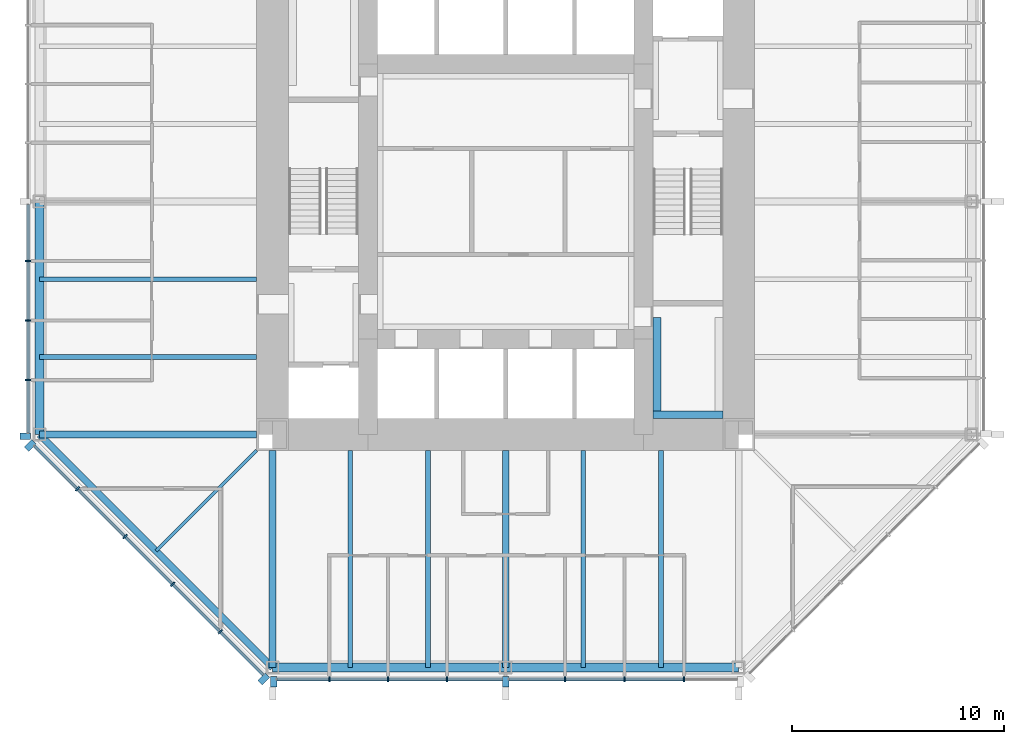
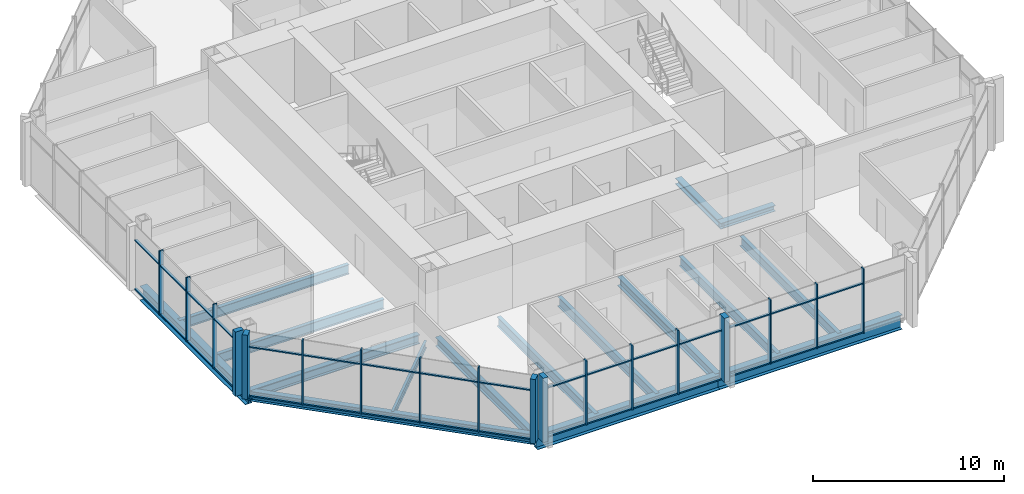
# One storey, part 2 of 12: 50 members, 16 beams, 3 elements without a shape of their own.
"""IFC4 building model written with IfcOpenShell, lengths in metres."""

from ifc_helpers import new_model, si_unit, direction, frame, origin, origin_2d, place, context, subcontext, project, spatial, rectangle, i_section, extrude, material, material_profile, profile_set, type_object, element, aggregate, save


model = new_model("IFC4")

# Units and contexts
model_context = context("Model", 3, precision=1e-05, world=origin(), true_north=direction((0.0, 1.0)))
body_context = subcontext(model_context, "Body", "Model", "MODEL_VIEW")
ifc_project = project(units=[si_unit("LENGTHUNIT", "METRE"), si_unit("AREAUNIT", "SQUARE_METRE"), si_unit("VOLUMEUNIT", "CUBIC_METRE"), si_unit("PLANEANGLEUNIT", "RADIAN"), si_unit("MASSUNIT", "GRAM", prefix="KILO")], contexts=[model_context])

# Site, building, storey
site_placement = place(None, origin())
site = spatial("IfcSite", under=ifc_project, at=site_placement, CompositionType="ELEMENT")
building_placement = place(site_placement, origin())
building = spatial("IfcBuilding", under=site, at=building_placement, Name="Trevanion Tower", CompositionType="ELEMENT")
storey_placement = place(building_placement, frame((0.0, 0.0, 174.60009765625)))
storey = spatial("IfcBuildingStorey", under=building, at=storey_placement, Name="L41", CompositionType="ELEMENT", Elevation=174.60009765625)

# Beams
ifc_material_1 = material(Name="Steel ASTM A992 Grade 50", Category="steel")
ifc_material_profile_1 = material_profile(ifc_material_1, i_section(OverallWidth=0.22900390625, OverallDepth=0.612060546875, WebThickness=0.011962890625, FlangeThickness=0.01953125, at=origin_2d()), Name="W24X84")
ifc_profile_set_1 = profile_set([ifc_material_profile_1], Name="Steel ASTM A992 Grade 50")
beam_type_1 = type_object("IfcBeamType", Name="B7 W24X84", PredefinedType="BEAM", material=ifc_profile_set_1)
for number, where, z_axis, x_axis, name in (
    (1, (-11.75, -3.666748046875, -0.49609375), (-1.0, 0.0, 0.0), (0.0, -1.0, 0.0), "B7 L41"),
    (2, (-11.75, -7.333251953125, -0.49609375), (-1.0, 0.0, 0.0), (0.0, -1.0, 0.0), "B7 L41"),
    (3, (-7.333251953125, -11.75, -0.49609375), (0.0, -1.0, 0.0), (1.0, 0.0, 0.0), "B7 L41"),
    (4, (-3.666748046875, -11.75, -0.49609375), (0.0, -1.0, 0.0), (1.0, 0.0, 0.0), "B7 L41"),
    (5, (3.666748046875, -11.75, -0.49609375), (0.0, -1.0, 0.0), (1.0, 0.0, 0.0), "B7 L41"),
    (6, (7.333251953125, -11.75, -0.49609375), (0.0, -1.0, 0.0), (1.0, 0.0, 0.0), "B7 L41"),
):
    element("IfcBeam", number, at=place(storey_placement, frame(where, z_axis=z_axis, x_axis=x_axis)), inside=storey, type_object=beam_type_1, Name=name, PredefinedType="BEAM", context=body_context, shape_type="SweptSolid", body=[
        extrude(i_section(OverallWidth=0.22900390625, OverallDepth=0.612060546875, WebThickness=0.011962890625, FlangeThickness=0.01953125, at=origin_2d()), origin(), (0.0, 0.0, 1.0), 10.25),
    ])
ifc_material_2 = material(Name="Steel ASTM A992 Grade 50", Category="steel")
ifc_material_profile_2 = material_profile(ifc_material_2, i_section(OverallWidth=0.15234375, OverallDepth=0.449462890625, WebThickness=0.007568359375, FlangeThickness=0.0107421875, at=origin_2d()), Name="W18X35")
ifc_profile_set_2 = profile_set([ifc_material_profile_2], Name="Steel ASTM A992 Grade 50")
beam_type_2 = type_object("IfcBeamType", Name="B8 W18X35", PredefinedType="BEAM", material=ifc_profile_set_2)
beam_1_placement = place(storey_placement, frame((-11.75, -11.75, -0.414794921875), z_axis=(-0.707106781187, -0.707106781187, 0.0), x_axis=(0.707106781187, -0.707106781187, 0.0)))
element("IfcBeam", 7, at=beam_1_placement, inside=storey, type_object=beam_type_2, Name="B8 L41", PredefinedType="BEAM", context=body_context, shape_type="SweptSolid", body=[
    extrude(i_section(OverallWidth=0.15234375, OverallDepth=0.449462890625, WebThickness=0.007568359375, FlangeThickness=0.0107421875, at=origin_2d()), origin(), (0.0, 0.0, 1.0), 6.717529296875),
])

# Curtain wall, members
ifc_material_3 = material(Name="Aluminium and glass", Category="aluminium")
curtain_wall_type = type_object("IfcCurtainWallType", Name="CW2 curtain wall", PredefinedType="USERDEFINED", material=ifc_material_3)
curtain_wall_1_placement = place(storey_placement, origin())
curtain_wall_1 = element("IfcCurtainWall", 8, at=curtain_wall_1_placement, inside=storey, type_object=curtain_wall_type, Name="CW2 L41 4", ObjectType="UNITISED CURTAIN WALL", PredefinedType="USERDEFINED")
ifc_material_4 = material(Name="Aluminium extrusion, anodised bronze", Category="aluminium")
ifc_material_profile_3 = material_profile(ifc_material_4, rectangle(XDim=0.074951171875, YDim=0.25, at=origin_2d()), Name="CW2 mullion")
ifc_profile_set_3 = profile_set([ifc_material_profile_3], Name="Aluminium extrusion, anodised bronze")
member_type_1 = type_object("IfcMemberType", Name="CW2 mullion", PredefinedType="MULLION", material=ifc_profile_set_3)
member_1_placement = place(storey_placement, frame((-22.550048828125, -2.806884765625, -0.190185546875), z_axis=(0.0, 0.0, 1.0), x_axis=(0.0, -1.0, 0.0)))
member_1 = element("IfcMember", 9, at=member_1_placement, type_object=member_type_1, Name="CW2 mullion 6", PredefinedType="MULLION", context=body_context, shape_type="SweptSolid", body=[
    extrude(rectangle(XDim=0.074951171875, YDim=0.25, at=origin_2d()), origin(), (0.0, 0.0, 1.0), 4.10009765625),
])
member_2_placement = place(storey_placement, frame((-22.550048828125, -5.614013671875, -0.190185546875), z_axis=(0.0, 0.0, 1.0), x_axis=(0.0, -1.0, 0.0)))
member_2 = element("IfcMember", 10, at=member_2_placement, type_object=member_type_1, Name="CW2 mullion 7", PredefinedType="MULLION", context=body_context, shape_type="SweptSolid", body=[
    extrude(rectangle(XDim=0.074951171875, YDim=0.25, at=origin_2d()), origin(), (0.0, 0.0, 1.0), 4.10009765625),
])
member_3_placement = place(storey_placement, frame((-22.550048828125, -8.4208984375, -0.190185546875), z_axis=(0.0, 0.0, 1.0), x_axis=(0.0, -1.0, 0.0)))
member_3 = element("IfcMember", 11, at=member_3_placement, type_object=member_type_1, Name="CW2 mullion 8", PredefinedType="MULLION", context=body_context, shape_type="SweptSolid", body=[
    extrude(rectangle(XDim=0.074951171875, YDim=0.25, at=origin_2d()), origin(), (0.0, 0.0, 1.0), 4.10009765625),
])

curtain_wall_2_placement = place(storey_placement, origin())
curtain_wall_2 = element("IfcCurtainWall", 12, at=curtain_wall_2_placement, inside=storey, type_object=curtain_wall_type, Name="CW2 L41 5", ObjectType="UNITISED CURTAIN WALL", PredefinedType="USERDEFINED")
member_4_placement = place(storey_placement, frame((-20.2119140625, -13.56591796875, -0.190185546875), z_axis=(0.0, 0.0, 1.0), x_axis=(0.707106781187, -0.707106781187, 0.0)))
member_4 = element("IfcMember", 13, at=member_4_placement, type_object=member_type_1, Name="CW2 mullion 2", PredefinedType="MULLION", context=body_context, shape_type="SweptSolid", body=[
    extrude(rectangle(XDim=0.074951171875, YDim=0.25, at=origin_2d()), origin(), (0.0, 0.0, 1.0), 4.10009765625),
])
member_5_placement = place(storey_placement, frame((-17.966064453125, -15.811767578125, -0.190185546875), z_axis=(0.0, 0.0, 1.0), x_axis=(0.707106781187, -0.707106781187, 0.0)))
member_5 = element("IfcMember", 14, at=member_5_placement, type_object=member_type_1, Name="CW2 mullion 3", PredefinedType="MULLION", context=body_context, shape_type="SweptSolid", body=[
    extrude(rectangle(XDim=0.074951171875, YDim=0.25, at=origin_2d()), origin(), (0.0, 0.0, 1.0), 4.10009765625),
])
member_6_placement = place(storey_placement, frame((-15.719970703125, -18.057861328125, -0.190185546875), z_axis=(0.0, 0.0, 1.0), x_axis=(0.707106781187, -0.707106781187, 0.0)))
member_6 = element("IfcMember", 15, at=member_6_placement, type_object=member_type_1, Name="CW2 mullion 4", PredefinedType="MULLION", context=body_context, shape_type="SweptSolid", body=[
    extrude(rectangle(XDim=0.074951171875, YDim=0.25, at=origin_2d()), origin(), (0.0, 0.0, 1.0), 4.10009765625),
])
member_7_placement = place(storey_placement, frame((-13.473876953125, -20.303955078125, -0.190185546875), z_axis=(0.0, 0.0, 1.0), x_axis=(0.707106781187, -0.707106781187, 0.0)))
member_7 = element("IfcMember", 16, at=member_7_placement, type_object=member_type_1, Name="CW2 mullion 5", PredefinedType="MULLION", context=body_context, shape_type="SweptSolid", body=[
    extrude(rectangle(XDim=0.074951171875, YDim=0.25, at=origin_2d()), origin(), (0.0, 0.0, 1.0), 4.10009765625),
])

curtain_wall_3_placement = place(storey_placement, origin())
curtain_wall_3 = element("IfcCurtainWall", 17, at=curtain_wall_3_placement, inside=storey, type_object=curtain_wall_type, Name="CW2 L41 6", ObjectType="UNITISED CURTAIN WALL", PredefinedType="USERDEFINED")
member_8_placement = place(storey_placement, frame((-8.323486328125, -22.550048828125, -0.190185546875), z_axis=(0.0, 0.0, 1.0), x_axis=(1.0, 0.0, 0.0)))
member_8 = element("IfcMember", 18, at=member_8_placement, type_object=member_type_1, Name="CW2 mullion 2", PredefinedType="MULLION", context=body_context, shape_type="SweptSolid", body=[
    extrude(rectangle(XDim=0.074951171875, YDim=0.25, at=origin_2d()), origin(), (0.0, 0.0, 1.0), 4.10009765625),
])
member_9_placement = place(storey_placement, frame((-5.548828125, -22.550048828125, -0.190185546875), z_axis=(0.0, 0.0, 1.0), x_axis=(1.0, 0.0, 0.0)))
member_9 = element("IfcMember", 19, at=member_9_placement, type_object=member_type_1, Name="CW2 mullion 3", PredefinedType="MULLION", context=body_context, shape_type="SweptSolid", body=[
    extrude(rectangle(XDim=0.074951171875, YDim=0.25, at=origin_2d()), origin(), (0.0, 0.0, 1.0), 4.10009765625),
])
member_10_placement = place(storey_placement, frame((-2.7744140625, -22.550048828125, -0.190185546875), z_axis=(0.0, 0.0, 1.0), x_axis=(1.0, 0.0, 0.0)))
member_10 = element("IfcMember", 20, at=member_10_placement, type_object=member_type_1, Name="CW2 mullion 4", PredefinedType="MULLION", context=body_context, shape_type="SweptSolid", body=[
    extrude(rectangle(XDim=0.074951171875, YDim=0.25, at=origin_2d()), origin(), (0.0, 0.0, 1.0), 4.10009765625),
])
member_11_placement = place(storey_placement, frame((2.806884765625, -22.550048828125, -0.190185546875), z_axis=(0.0, 0.0, 1.0), x_axis=(1.0, 0.0, 0.0)))
member_11 = element("IfcMember", 21, at=member_11_placement, type_object=member_type_1, Name="CW2 mullion 6", PredefinedType="MULLION", context=body_context, shape_type="SweptSolid", body=[
    extrude(rectangle(XDim=0.074951171875, YDim=0.25, at=origin_2d()), origin(), (0.0, 0.0, 1.0), 4.10009765625),
])
member_12_placement = place(storey_placement, frame((5.614013671875, -22.550048828125, -0.190185546875), z_axis=(0.0, 0.0, 1.0), x_axis=(1.0, 0.0, 0.0)))
member_12 = element("IfcMember", 22, at=member_12_placement, type_object=member_type_1, Name="CW2 mullion 7", PredefinedType="MULLION", context=body_context, shape_type="SweptSolid", body=[
    extrude(rectangle(XDim=0.074951171875, YDim=0.25, at=origin_2d()), origin(), (0.0, 0.0, 1.0), 4.10009765625),
])
member_13_placement = place(storey_placement, frame((8.4208984375, -22.550048828125, -0.190185546875), z_axis=(0.0, 0.0, 1.0), x_axis=(1.0, 0.0, 0.0)))
member_13 = element("IfcMember", 23, at=member_13_placement, type_object=member_type_1, Name="CW2 mullion 8", PredefinedType="MULLION", context=body_context, shape_type="SweptSolid", body=[
    extrude(rectangle(XDim=0.074951171875, YDim=0.25, at=origin_2d()), origin(), (0.0, 0.0, 1.0), 4.10009765625),
])

# Member
ifc_material_5 = material(Name="Aluminium extrusion, anodised bronze", Category="aluminium")
ifc_material_profile_4 = material_profile(ifc_material_5, rectangle(XDim=0.300048828125, YDim=0.5, at=origin_2d()), Name="CW2 pier mullion")
ifc_profile_set_4 = profile_set([ifc_material_profile_4], Name="Aluminium extrusion, anodised bronze")
member_type_2 = type_object("IfcMemberType", Name="CW2 pier mullion", PredefinedType="MULLION", material=ifc_profile_set_4)
member_14_placement = place(storey_placement, frame((-22.675048828125, -11.077880859375, -0.190185546875), z_axis=(0.0, 0.0, 1.0), x_axis=(0.0, -1.0, 0.0)))
member_14 = element("IfcMember", 24, at=member_14_placement, type_object=member_type_2, Name="CW2 pier mullion 9", PredefinedType="MULLION", context=body_context, shape_type="SweptSolid", body=[
    extrude(rectangle(XDim=0.300048828125, YDim=0.5, at=origin_2d()), origin(), (0.0, 0.0, 1.0), 4.10009765625),
])

member_15_placement = place(storey_placement, frame((-22.4404296875, -11.51416015625, -0.190185546875), z_axis=(0.0, 0.0, 1.0), x_axis=(0.707106781187, -0.707106781187, 0.0)))
member_15 = element("IfcMember", 25, at=member_15_placement, type_object=member_type_2, Name="CW2 pier mullion 1", PredefinedType="MULLION", context=body_context, shape_type="SweptSolid", body=[
    extrude(rectangle(XDim=0.300048828125, YDim=0.5, at=origin_2d()), origin(), (0.0, 0.0, 1.0), 4.10009765625),
])

member_16_placement = place(storey_placement, frame((-11.42236328125, -22.5322265625, -0.190185546875), z_axis=(0.0, 0.0, 1.0), x_axis=(0.707106781187, -0.707106781187, 0.0)))
member_16 = element("IfcMember", 26, at=member_16_placement, type_object=member_type_2, Name="CW2 pier mullion 6", PredefinedType="MULLION", context=body_context, shape_type="SweptSolid", body=[
    extrude(rectangle(XDim=0.300048828125, YDim=0.5, at=origin_2d()), origin(), (0.0, 0.0, 1.0), 4.10009765625),
])

member_17_placement = place(storey_placement, frame((-10.94775390625, -22.675048828125, -0.190185546875), z_axis=(0.0, 0.0, 1.0), x_axis=(1.0, 0.0, 0.0)))
member_17 = element("IfcMember", 27, at=member_17_placement, type_object=member_type_2, Name="CW2 pier mullion 1", PredefinedType="MULLION", context=body_context, shape_type="SweptSolid", body=[
    extrude(rectangle(XDim=0.300048828125, YDim=0.5, at=origin_2d()), origin(), (0.0, 0.0, 1.0), 4.10009765625),
])

member_18_placement = place(storey_placement, frame((0.0, -22.675048828125, -0.190185546875), z_axis=(0.0, 0.0, 1.0), x_axis=(1.0, 0.0, 0.0)))
member_18 = element("IfcMember", 28, at=member_18_placement, type_object=member_type_2, Name="CW2 pier mullion 5", PredefinedType="MULLION", context=body_context, shape_type="SweptSolid", body=[
    extrude(rectangle(XDim=0.300048828125, YDim=0.5, at=origin_2d()), origin(), (0.0, 0.0, 1.0), 4.10009765625),
])

ifc_material_6 = material(Name="Aluminium extrusion, anodised bronze", Category="aluminium")
ifc_material_profile_5 = material_profile(ifc_material_6, rectangle(XDim=0.14990234375, YDim=0.074951171875, at=origin_2d()), Name="CW2 transom")
ifc_profile_set_5 = profile_set([ifc_material_profile_5], Name="Aluminium extrusion, anodised bronze")
member_type_3 = type_object("IfcMemberType", Name="CW2 transom", PredefinedType="USERDEFINED", material=ifc_profile_set_5)
member_19_placement = place(storey_placement, frame((-22.550048828125, -0.14990234375, -0.152587890625), z_axis=(0.0, -1.0, 0.0), x_axis=(1.0, 0.0, 0.0)))
member_19 = element("IfcMember", 29, at=member_19_placement, type_object=member_type_3, Name="CW2 transom 5.1", ObjectType="TRANSOM", PredefinedType="USERDEFINED", context=body_context, shape_type="SweptSolid", body=[
    extrude(rectangle(XDim=0.14990234375, YDim=0.074951171875, at=origin_2d()), origin(), (0.0, 0.0, 1.0), 2.619384765625),
])

member_20_placement = place(storey_placement, frame((-22.550048828125, -0.14990234375, 2.9599609375), z_axis=(0.0, -1.0, 0.0), x_axis=(1.0, 0.0, 0.0)))
member_20 = element("IfcMember", 30, at=member_20_placement, type_object=member_type_3, Name="CW2 transom 5.2", ObjectType="TRANSOM", PredefinedType="USERDEFINED", context=body_context, shape_type="SweptSolid", body=[
    extrude(rectangle(XDim=0.14990234375, YDim=0.074951171875, at=origin_2d()), origin(), (0.0, 0.0, 1.0), 2.619384765625),
])

member_21_placement = place(storey_placement, frame((-22.550048828125, -2.844482421875, -0.152587890625), z_axis=(0.0, -1.0, 0.0), x_axis=(1.0, 0.0, 0.0)))
member_21 = element("IfcMember", 31, at=member_21_placement, type_object=member_type_3, Name="CW2 transom 6.1", ObjectType="TRANSOM", PredefinedType="USERDEFINED", context=body_context, shape_type="SweptSolid", body=[
    extrude(rectangle(XDim=0.14990234375, YDim=0.074951171875, at=origin_2d()), origin(), (0.0, 0.0, 1.0), 2.73193359375),
])

member_22_placement = place(storey_placement, frame((-22.550048828125, -2.844482421875, 2.9599609375), z_axis=(0.0, -1.0, 0.0), x_axis=(1.0, 0.0, 0.0)))
member_22 = element("IfcMember", 32, at=member_22_placement, type_object=member_type_3, Name="CW2 transom 6.2", ObjectType="TRANSOM", PredefinedType="USERDEFINED", context=body_context, shape_type="SweptSolid", body=[
    extrude(rectangle(XDim=0.14990234375, YDim=0.074951171875, at=origin_2d()), origin(), (0.0, 0.0, 1.0), 2.73193359375),
])

member_23_placement = place(storey_placement, frame((-22.550048828125, -5.6513671875, -0.152587890625), z_axis=(0.0, -1.0, 0.0), x_axis=(1.0, 0.0, 0.0)))
member_23 = element("IfcMember", 33, at=member_23_placement, type_object=member_type_3, Name="CW2 transom 7.1", ObjectType="TRANSOM", PredefinedType="USERDEFINED", context=body_context, shape_type="SweptSolid", body=[
    extrude(rectangle(XDim=0.14990234375, YDim=0.074951171875, at=origin_2d()), origin(), (0.0, 0.0, 1.0), 2.73193359375),
])

member_24_placement = place(storey_placement, frame((-22.550048828125, -5.6513671875, 2.9599609375), z_axis=(0.0, -1.0, 0.0), x_axis=(1.0, 0.0, 0.0)))
member_24 = element("IfcMember", 34, at=member_24_placement, type_object=member_type_3, Name="CW2 transom 7.2", ObjectType="TRANSOM", PredefinedType="USERDEFINED", context=body_context, shape_type="SweptSolid", body=[
    extrude(rectangle(XDim=0.14990234375, YDim=0.074951171875, at=origin_2d()), origin(), (0.0, 0.0, 1.0), 2.73193359375),
])

member_25_placement = place(storey_placement, frame((-22.550048828125, -8.45849609375, -0.152587890625), z_axis=(0.0, -1.0, 0.0), x_axis=(1.0, 0.0, 0.0)))
member_25 = element("IfcMember", 35, at=member_25_placement, type_object=member_type_3, Name="CW2 transom 8.1", ObjectType="TRANSOM", PredefinedType="USERDEFINED", context=body_context, shape_type="SweptSolid", body=[
    extrude(rectangle(XDim=0.14990234375, YDim=0.074951171875, at=origin_2d()), origin(), (0.0, 0.0, 1.0), 2.46923828125),
])

member_26_placement = place(storey_placement, frame((-22.550048828125, -8.45849609375, 2.9599609375), z_axis=(0.0, -1.0, 0.0), x_axis=(1.0, 0.0, 0.0)))
member_26 = element("IfcMember", 36, at=member_26_placement, type_object=member_type_3, Name="CW2 transom 8.2", ObjectType="TRANSOM", PredefinedType="USERDEFINED", context=body_context, shape_type="SweptSolid", body=[
    extrude(rectangle(XDim=0.14990234375, YDim=0.074951171875, at=origin_2d()), origin(), (0.0, 0.0, 1.0), 2.46923828125),
])

aggregate(curtain_wall_1, [member_1, member_2, member_3, member_14, member_19, member_20, member_21, member_22, member_23, member_24, member_25, member_26])

member_27_placement = place(storey_placement, frame((-22.245849609375, -11.531982421875, -0.152587890625), z_axis=(0.707106781187, -0.707106781187, 0.0), x_axis=(0.707106781187, 0.707106781187, 0.0)))
member_27 = element("IfcMember", 37, at=member_27_placement, type_object=member_type_3, Name="CW2 transom 1.1", ObjectType="TRANSOM", PredefinedType="USERDEFINED", context=body_context, shape_type="SweptSolid", body=[
    extrude(rectangle(XDim=0.14990234375, YDim=0.074951171875, at=origin_2d()), origin(), (0.0, 0.0, 1.0), 2.8388671875),
])

member_28_placement = place(storey_placement, frame((-22.245849609375, -11.531982421875, 2.9599609375), z_axis=(0.707106781187, -0.707106781187, 0.0), x_axis=(0.707106781187, 0.707106781187, 0.0)))
member_28 = element("IfcMember", 38, at=member_28_placement, type_object=member_type_3, Name="CW2 transom 1.2", ObjectType="TRANSOM", PredefinedType="USERDEFINED", context=body_context, shape_type="SweptSolid", body=[
    extrude(rectangle(XDim=0.14990234375, YDim=0.074951171875, at=origin_2d()), origin(), (0.0, 0.0, 1.0), 2.8388671875),
])

member_29_placement = place(storey_placement, frame((-20.185546875, -13.59228515625, -0.152587890625), z_axis=(0.707106781187, -0.707106781187, 0.0), x_axis=(0.707106781187, 0.707106781187, 0.0)))
member_29 = element("IfcMember", 39, at=member_29_placement, type_object=member_type_3, Name="CW2 transom 2.1", ObjectType="TRANSOM", PredefinedType="USERDEFINED", context=body_context, shape_type="SweptSolid", body=[
    extrude(rectangle(XDim=0.14990234375, YDim=0.074951171875, at=origin_2d()), origin(), (0.0, 0.0, 1.0), 3.1015625),
])

member_30_placement = place(storey_placement, frame((-20.185546875, -13.59228515625, 2.9599609375), z_axis=(0.707106781187, -0.707106781187, 0.0), x_axis=(0.707106781187, 0.707106781187, 0.0)))
member_30 = element("IfcMember", 40, at=member_30_placement, type_object=member_type_3, Name="CW2 transom 2.2", ObjectType="TRANSOM", PredefinedType="USERDEFINED", context=body_context, shape_type="SweptSolid", body=[
    extrude(rectangle(XDim=0.14990234375, YDim=0.074951171875, at=origin_2d()), origin(), (0.0, 0.0, 1.0), 3.1015625),
])

member_31_placement = place(storey_placement, frame((-17.939453125, -15.83837890625, -0.152587890625), z_axis=(0.707106781187, -0.707106781187, 0.0), x_axis=(0.707106781187, 0.707106781187, 0.0)))
member_31 = element("IfcMember", 41, at=member_31_placement, type_object=member_type_3, Name="CW2 transom 3.1", ObjectType="TRANSOM", PredefinedType="USERDEFINED", context=body_context, shape_type="SweptSolid", body=[
    extrude(rectangle(XDim=0.14990234375, YDim=0.074951171875, at=origin_2d()), origin(), (0.0, 0.0, 1.0), 3.1015625),
])

member_32_placement = place(storey_placement, frame((-17.939453125, -15.83837890625, 2.9599609375), z_axis=(0.707106781187, -0.707106781187, 0.0), x_axis=(0.707106781187, 0.707106781187, 0.0)))
member_32 = element("IfcMember", 42, at=member_32_placement, type_object=member_type_3, Name="CW2 transom 3.2", ObjectType="TRANSOM", PredefinedType="USERDEFINED", context=body_context, shape_type="SweptSolid", body=[
    extrude(rectangle(XDim=0.14990234375, YDim=0.074951171875, at=origin_2d()), origin(), (0.0, 0.0, 1.0), 3.1015625),
])

member_33_placement = place(storey_placement, frame((-15.693359375, -18.08447265625, -0.152587890625), z_axis=(0.707106781187, -0.707106781187, 0.0), x_axis=(0.707106781187, 0.707106781187, 0.0)))
member_33 = element("IfcMember", 43, at=member_33_placement, type_object=member_type_3, Name="CW2 transom 4.1", ObjectType="TRANSOM", PredefinedType="USERDEFINED", context=body_context, shape_type="SweptSolid", body=[
    extrude(rectangle(XDim=0.14990234375, YDim=0.074951171875, at=origin_2d()), origin(), (0.0, 0.0, 1.0), 3.10107421875),
])

member_34_placement = place(storey_placement, frame((-15.693359375, -18.08447265625, 2.9599609375), z_axis=(0.707106781187, -0.707106781187, 0.0), x_axis=(0.707106781187, 0.707106781187, 0.0)))
member_34 = element("IfcMember", 44, at=member_34_placement, type_object=member_type_3, Name="CW2 transom 4.2", ObjectType="TRANSOM", PredefinedType="USERDEFINED", context=body_context, shape_type="SweptSolid", body=[
    extrude(rectangle(XDim=0.14990234375, YDim=0.074951171875, at=origin_2d()), origin(), (0.0, 0.0, 1.0), 3.10107421875),
])

member_35_placement = place(storey_placement, frame((-13.447509765625, -20.33056640625, -0.152587890625), z_axis=(0.707149778163, -0.707063781595, 0.0), x_axis=(0.707063781595, 0.707149778163, 0.0)))
member_35 = element("IfcMember", 45, at=member_35_placement, type_object=member_type_3, Name="CW2 transom 5.1", ObjectType="TRANSOM", PredefinedType="USERDEFINED", context=body_context, shape_type="SweptSolid", body=[
    extrude(rectangle(XDim=0.14990234375, YDim=0.074951171875, at=origin_2d()), origin(), (0.0, 0.0, 1.0), 2.8388671875),
])

member_36_placement = place(storey_placement, frame((-13.447509765625, -20.33056640625, 2.9599609375), z_axis=(0.707149778163, -0.707063781595, 0.0), x_axis=(0.707063781595, 0.707149778163, 0.0)))
member_36 = element("IfcMember", 46, at=member_36_placement, type_object=member_type_3, Name="CW2 transom 5.2", ObjectType="TRANSOM", PredefinedType="USERDEFINED", context=body_context, shape_type="SweptSolid", body=[
    extrude(rectangle(XDim=0.14990234375, YDim=0.074951171875, at=origin_2d()), origin(), (0.0, 0.0, 1.0), 2.8388671875),
])

aggregate(curtain_wall_2, [member_15, member_4, member_5, member_6, member_7, member_16, member_27, member_28, member_29, member_30, member_31, member_32, member_33, member_34, member_35, member_36])

member_37_placement = place(storey_placement, frame((-10.7978515625, -22.550048828125, -0.152587890625), z_axis=(1.0, 0.0, 0.0), x_axis=(0.0, 1.0, 0.0)))
member_37 = element("IfcMember", 47, at=member_37_placement, type_object=member_type_3, Name="CW2 transom 1.1", ObjectType="TRANSOM", PredefinedType="USERDEFINED", context=body_context, shape_type="SweptSolid", body=[
    extrude(rectangle(XDim=0.14990234375, YDim=0.074951171875, at=origin_2d()), origin(), (0.0, 0.0, 1.0), 2.43701171875),
])

member_38_placement = place(storey_placement, frame((-10.7978515625, -22.550048828125, 2.9599609375), z_axis=(1.0, 0.0, 0.0), x_axis=(0.0, 1.0, 0.0)))
member_38 = element("IfcMember", 48, at=member_38_placement, type_object=member_type_3, Name="CW2 transom 1.2", ObjectType="TRANSOM", PredefinedType="USERDEFINED", context=body_context, shape_type="SweptSolid", body=[
    extrude(rectangle(XDim=0.14990234375, YDim=0.074951171875, at=origin_2d()), origin(), (0.0, 0.0, 1.0), 2.43701171875),
])

member_39_placement = place(storey_placement, frame((-8.285888671875, -22.550048828125, -0.152587890625), z_axis=(1.0, 0.0, 0.0), x_axis=(0.0, 1.0, 0.0)))
member_39 = element("IfcMember", 49, at=member_39_placement, type_object=member_type_3, Name="CW2 transom 2.1", ObjectType="TRANSOM", PredefinedType="USERDEFINED", context=body_context, shape_type="SweptSolid", body=[
    extrude(rectangle(XDim=0.14990234375, YDim=0.074951171875, at=origin_2d()), origin(), (0.0, 0.0, 1.0), 2.699462890625),
])

member_40_placement = place(storey_placement, frame((-8.285888671875, -22.550048828125, 2.9599609375), z_axis=(1.0, 0.0, 0.0), x_axis=(0.0, 1.0, 0.0)))
member_40 = element("IfcMember", 50, at=member_40_placement, type_object=member_type_3, Name="CW2 transom 2.2", ObjectType="TRANSOM", PredefinedType="USERDEFINED", context=body_context, shape_type="SweptSolid", body=[
    extrude(rectangle(XDim=0.14990234375, YDim=0.074951171875, at=origin_2d()), origin(), (0.0, 0.0, 1.0), 2.699462890625),
])

member_41_placement = place(storey_placement, frame((-5.511474609375, -22.550048828125, -0.152587890625), z_axis=(1.0, 0.0, 0.0), x_axis=(0.0, 1.0, 0.0)))
member_41 = element("IfcMember", 51, at=member_41_placement, type_object=member_type_3, Name="CW2 transom 3.1", ObjectType="TRANSOM", PredefinedType="USERDEFINED", context=body_context, shape_type="SweptSolid", body=[
    extrude(rectangle(XDim=0.14990234375, YDim=0.074951171875, at=origin_2d()), origin(), (0.0, 0.0, 1.0), 2.699462890625),
])

member_42_placement = place(storey_placement, frame((-5.511474609375, -22.550048828125, 2.9599609375), z_axis=(1.0, 0.0, 0.0), x_axis=(0.0, 1.0, 0.0)))
member_42 = element("IfcMember", 52, at=member_42_placement, type_object=member_type_3, Name="CW2 transom 3.2", ObjectType="TRANSOM", PredefinedType="USERDEFINED", context=body_context, shape_type="SweptSolid", body=[
    extrude(rectangle(XDim=0.14990234375, YDim=0.074951171875, at=origin_2d()), origin(), (0.0, 0.0, 1.0), 2.699462890625),
])

member_43_placement = place(storey_placement, frame((-2.737060546875, -22.550048828125, -0.152587890625), z_axis=(1.0, 0.0, 0.0), x_axis=(0.0, 1.0, 0.0)))
member_43 = element("IfcMember", 53, at=member_43_placement, type_object=member_type_3, Name="CW2 transom 4.1", ObjectType="TRANSOM", PredefinedType="USERDEFINED", context=body_context, shape_type="SweptSolid", body=[
    extrude(rectangle(XDim=0.14990234375, YDim=0.074951171875, at=origin_2d()), origin(), (0.0, 0.0, 1.0), 2.587158203125),
])

member_44_placement = place(storey_placement, frame((-2.737060546875, -22.550048828125, 2.9599609375), z_axis=(1.0, 0.0, 0.0), x_axis=(0.0, 1.0, 0.0)))
member_44 = element("IfcMember", 54, at=member_44_placement, type_object=member_type_3, Name="CW2 transom 4.2", ObjectType="TRANSOM", PredefinedType="USERDEFINED", context=body_context, shape_type="SweptSolid", body=[
    extrude(rectangle(XDim=0.14990234375, YDim=0.074951171875, at=origin_2d()), origin(), (0.0, 0.0, 1.0), 2.587158203125),
])

member_45_placement = place(storey_placement, frame((0.14990234375, -22.550048828125, -0.152587890625), z_axis=(1.0, 0.0, 0.0), x_axis=(0.0, 1.0, 0.0)))
member_45 = element("IfcMember", 55, at=member_45_placement, type_object=member_type_3, Name="CW2 transom 5.1", ObjectType="TRANSOM", PredefinedType="USERDEFINED", context=body_context, shape_type="SweptSolid", body=[
    extrude(rectangle(XDim=0.14990234375, YDim=0.074951171875, at=origin_2d()), origin(), (0.0, 0.0, 1.0), 2.619384765625),
])

member_46_placement = place(storey_placement, frame((0.14990234375, -22.550048828125, 2.9599609375), z_axis=(1.0, 0.0, 0.0), x_axis=(0.0, 1.0, 0.0)))
member_46 = element("IfcMember", 56, at=member_46_placement, type_object=member_type_3, Name="CW2 transom 5.2", ObjectType="TRANSOM", PredefinedType="USERDEFINED", context=body_context, shape_type="SweptSolid", body=[
    extrude(rectangle(XDim=0.14990234375, YDim=0.074951171875, at=origin_2d()), origin(), (0.0, 0.0, 1.0), 2.619384765625),
])

member_47_placement = place(storey_placement, frame((2.844482421875, -22.550048828125, -0.152587890625), z_axis=(1.0, 0.0, 0.0), x_axis=(0.0, 1.0, 0.0)))
member_47 = element("IfcMember", 57, at=member_47_placement, type_object=member_type_3, Name="CW2 transom 6.1", ObjectType="TRANSOM", PredefinedType="USERDEFINED", context=body_context, shape_type="SweptSolid", body=[
    extrude(rectangle(XDim=0.14990234375, YDim=0.074951171875, at=origin_2d()), origin(), (0.0, 0.0, 1.0), 2.73193359375),
])

member_48_placement = place(storey_placement, frame((2.844482421875, -22.550048828125, 2.9599609375), z_axis=(1.0, 0.0, 0.0), x_axis=(0.0, 1.0, 0.0)))
member_48 = element("IfcMember", 58, at=member_48_placement, type_object=member_type_3, Name="CW2 transom 6.2", ObjectType="TRANSOM", PredefinedType="USERDEFINED", context=body_context, shape_type="SweptSolid", body=[
    extrude(rectangle(XDim=0.14990234375, YDim=0.074951171875, at=origin_2d()), origin(), (0.0, 0.0, 1.0), 2.73193359375),
])

member_49_placement = place(storey_placement, frame((5.6513671875, -22.550048828125, -0.152587890625), z_axis=(1.0, 0.0, 0.0), x_axis=(0.0, 1.0, 0.0)))
member_49 = element("IfcMember", 59, at=member_49_placement, type_object=member_type_3, Name="CW2 transom 7.1", ObjectType="TRANSOM", PredefinedType="USERDEFINED", context=body_context, shape_type="SweptSolid", body=[
    extrude(rectangle(XDim=0.14990234375, YDim=0.074951171875, at=origin_2d()), origin(), (0.0, 0.0, 1.0), 2.73193359375),
])

member_50_placement = place(storey_placement, frame((5.6513671875, -22.550048828125, 2.9599609375), z_axis=(1.0, 0.0, 0.0), x_axis=(0.0, 1.0, 0.0)))
member_50 = element("IfcMember", 60, at=member_50_placement, type_object=member_type_3, Name="CW2 transom 7.2", ObjectType="TRANSOM", PredefinedType="USERDEFINED", context=body_context, shape_type="SweptSolid", body=[
    extrude(rectangle(XDim=0.14990234375, YDim=0.074951171875, at=origin_2d()), origin(), (0.0, 0.0, 1.0), 2.73193359375),
])

aggregate(curtain_wall_3, [member_17, member_8, member_9, member_10, member_18, member_11, member_12, member_13, member_37, member_38, member_39, member_40, member_41, member_42, member_43, member_44, member_45, member_46, member_47, member_48, member_49, member_50])

# Beams
ifc_material_7 = material(Name="Steel ASTM A992 Grade 50", Category="steel")
ifc_material_profile_6 = material_profile(ifc_material_7, i_section(OverallWidth=0.320068359375, OverallDepth=0.584228515625, WebThickness=0.023193359375, FlangeThickness=0.04150390625, at=origin_2d()), Name="W21X201")
ifc_profile_set_6 = profile_set([ifc_material_profile_6], Name="Steel ASTM A992 Grade 50")
beam_type_3 = type_object("IfcBeamType", Name="G4 W21X201", PredefinedType="BEAM", material=ifc_profile_set_6)
for number, where, z_axis, x_axis, name in (
    (61, (-11.75, -11.0, -0.482177734375), (-1.0, 0.0, 0.0), (0.0, -1.0, 0.0), "G4 L41"),
    (62, (-11.0, -11.75, -0.482177734375), (0.0, -1.0, 0.0), (1.0, 0.0, 0.0), "G4 L41"),
    (63, (0.0, -11.75, -0.482177734375), (0.0, -1.0, 0.0), (1.0, 0.0, 0.0), "G4 L41"),
):
    element("IfcBeam", number, at=place(storey_placement, frame(where, z_axis=z_axis, x_axis=x_axis)), inside=storey, type_object=beam_type_3, Name=name, PredefinedType="BEAM", context=body_context, shape_type="SweptSolid", body=[
        extrude(i_section(OverallWidth=0.320068359375, OverallDepth=0.584228515625, WebThickness=0.023193359375, FlangeThickness=0.04150390625, at=origin_2d()), origin(), (0.0, 0.0, 1.0), 10.25),
    ])
ifc_material_8 = material(Name="Steel ASTM A992 Grade 50", Category="steel")
ifc_material_profile_7 = material_profile(ifc_material_8, i_section(OverallWidth=0.373291015625, OverallDepth=0.373291015625, WebThickness=0.016357421875, FlangeThickness=0.026123046875, at=origin_2d()), Name="W14X132")
ifc_profile_set_7 = profile_set([ifc_material_profile_7], Name="Steel ASTM A992 Grade 50")
beam_type_4 = type_object("IfcBeamType", Name="LB2 W14X132", PredefinedType="BEAM", material=ifc_profile_set_7)
beam_2_placement = place(storey_placement, frame((7.13671875, -10.25, -0.38671875), z_axis=(0.0, 1.0, 0.0), x_axis=(-1.0, 0.0, 0.0)))
element("IfcBeam", 64, at=beam_2_placement, inside=storey, type_object=beam_type_4, Name="LB2 L41", PredefinedType="BEAM", context=body_context, shape_type="SweptSolid", body=[
    extrude(i_section(OverallWidth=0.373291015625, OverallDepth=0.373291015625, WebThickness=0.016357421875, FlangeThickness=0.026123046875, at=origin_2d()), origin(), (0.0, 0.0, 1.0), 4.77490234375),
])
beam_3_placement = place(storey_placement, frame((6.949951171875, -10.063232421875, -0.38671875), z_axis=(1.0, 0.0, 0.0), x_axis=(0.0, 1.0, 0.0)))
element("IfcBeam", 65, at=beam_3_placement, inside=storey, type_object=beam_type_4, Name="LB2 L41", PredefinedType="BEAM", context=body_context, shape_type="SweptSolid", body=[
    extrude(i_section(OverallWidth=0.373291015625, OverallDepth=0.373291015625, WebThickness=0.016357421875, FlangeThickness=0.026123046875, at=origin_2d()), origin(), (0.0, 0.0, 1.0), 3.300048828125),
])
ifc_material_9 = material(Name="Steel ASTM A992 Grade 50", Category="steel")
ifc_material_profile_8 = material_profile(ifc_material_9, i_section(OverallWidth=0.419189453125, OverallDepth=0.927001953125, WebThickness=0.019287109375, FlangeThickness=0.031982421875, at=origin_2d()), Name="W36X231")
ifc_profile_set_8 = profile_set([ifc_material_profile_8], Name="Steel ASTM A992 Grade 50")
beam_type_5 = type_object("IfcBeamType", Name="SB4 W36X231", PredefinedType="SPANDREL", material=ifc_profile_set_8)
for number, where, z_axis, x_axis, name in (
    (66, (-22.0, 0.0, -0.65380859375), (0.0, -1.0, 0.0), (1.0, 0.0, 0.0), "SB4 L41"),
    (67, (-11.0, -22.0, -0.65380859375), (1.0, 0.0, 0.0), (0.0, 1.0, 0.0), "SB4 L41"),
    (68, (0.0, -22.0, -0.65380859375), (1.0, 0.0, 0.0), (0.0, 1.0, 0.0), "SB4 L41"),
):
    element("IfcBeam", number, at=place(storey_placement, frame(where, z_axis=z_axis, x_axis=x_axis)), inside=storey, type_object=beam_type_5, Name=name, PredefinedType="SPANDREL", context=body_context, shape_type="SweptSolid", body=[
        extrude(i_section(OverallWidth=0.419189453125, OverallDepth=0.927001953125, WebThickness=0.019287109375, FlangeThickness=0.031982421875, at=origin_2d()), origin(), (0.0, 0.0, 1.0), 11.0),
    ])
ifc_material_10 = material(Name="Steel ASTM A992 Grade 50", Category="steel")
ifc_material_profile_9 = material_profile(ifc_material_10, i_section(OverallWidth=0.32763671875, OverallDepth=0.62744140625, WebThickness=0.0166015625, FlangeThickness=0.027587890625, at=origin_2d()), Name="W24X146")
ifc_profile_set_9 = profile_set([ifc_material_profile_9], Name="Steel ASTM A992 Grade 50")
beam_type_6 = type_object("IfcBeamType", Name="SB5 W24X146", PredefinedType="SPANDREL", material=ifc_profile_set_9)
beam_4_placement = place(storey_placement, frame((-22.0, -11.0, -0.50390625), z_axis=(0.707106781187, -0.707106781187, 0.0), x_axis=(0.707106781187, 0.707106781187, 0.0)))
element("IfcBeam", 69, at=beam_4_placement, inside=storey, type_object=beam_type_6, Name="SB5 L41", PredefinedType="SPANDREL", context=body_context, shape_type="SweptSolid", body=[
    extrude(i_section(OverallWidth=0.32763671875, OverallDepth=0.62744140625, WebThickness=0.0166015625, FlangeThickness=0.027587890625, at=origin_2d()), origin(), (0.0, 0.0, 1.0), 15.556396484375),
])

save(model, "model.ifc")
